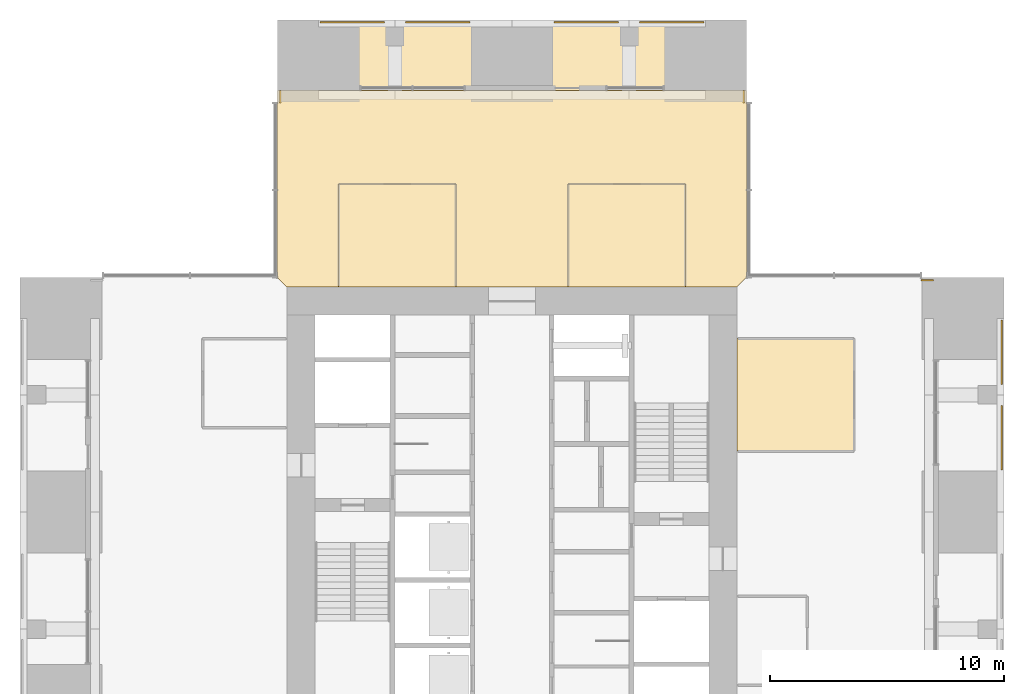
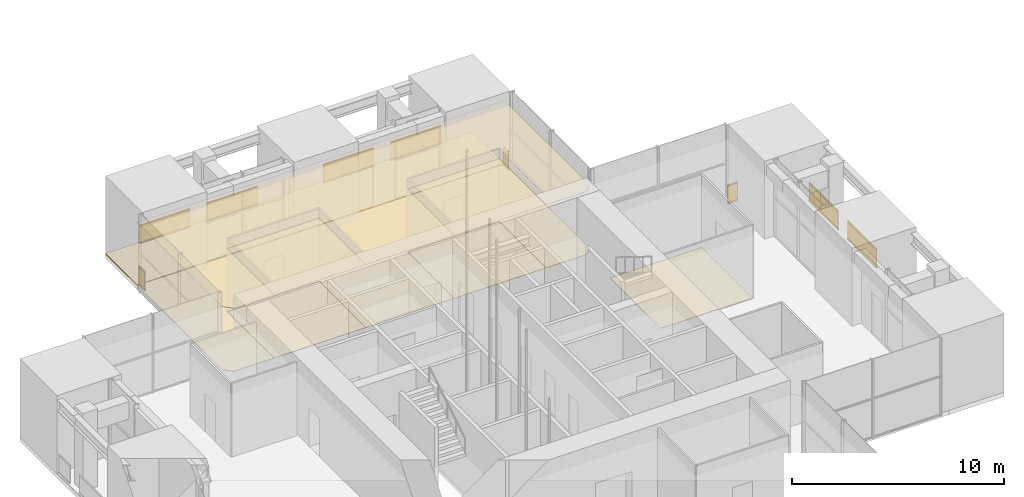
# One storey, part 16 of 17: 9 railings, 8 coverings.
"""IFC4 building model written with IfcOpenShell, lengths in metres."""

from ifc_helpers import new_model, si_unit, direction, frame, origin, origin_2d, place, context, subcontext, project, spatial, polyline, rectangle, outline, extrude, material, layer, layer_set, type_object, element, save


model = new_model("IFC4")

# Units and contexts
model_context = context("Model", 3, precision=1e-05, world=origin(), true_north=direction((0.0, 1.0)))
body_context = subcontext(model_context, "Body", "Model", "MODEL_VIEW")
ifc_project = project(units=[si_unit("LENGTHUNIT", "METRE"), si_unit("AREAUNIT", "SQUARE_METRE"), si_unit("VOLUMEUNIT", "CUBIC_METRE"), si_unit("PLANEANGLEUNIT", "RADIAN"), si_unit("MASSUNIT", "GRAM", prefix="KILO")], contexts=[model_context])

# Site, building, storey
site_placement = place(None, origin())
site = spatial("IfcSite", under=ifc_project, at=site_placement, CompositionType="ELEMENT")
building_placement = place(site_placement, origin())
building = spatial("IfcBuilding", under=site, at=building_placement, Name="Svetlomir Tower", CompositionType="ELEMENT")
storey_placement = place(building_placement, frame((0.0, 0.0, 239.5)))
storey = spatial("IfcBuildingStorey", under=building, at=storey_placement, Name="L57", CompositionType="ELEMENT", Elevation=239.5)

# Railings
ifc_material_1 = material(Name="Bronze anodised aluminium and laminated glass", Category="aluminium")
railing_type = type_object("IfcRailingType", Name="BALCONY GUARD GR1 1100", PredefinedType="GUARDRAIL", material=ifc_material_1)
for number, where, name in (
    (1, (41.89990234375, 22.800048828125, 0.0), "Loggia guard E L57 bay 3"),
    (2, (41.89990234375, 26.449951171875, 0.0), "Loggia guard E L57 bay 4"),
):
    element("IfcRailing", number, at=place(storey_placement, frame(where)), inside=storey, type_object=railing_type, Name=name, PredefinedType="GUARDRAIL", context=body_context, shape_type="SweptSolid", body=[
        extrude(rectangle(XDim=0.06005859375, YDim=0.10009765625, at=origin_2d()), frame((0.0, 0.0, 0.050048828125), z_axis=(0.0, 1.0, 0.0), x_axis=(-1.0, 0.0, 0.0)), (0.0, 0.0, 1.0), 2.75),
        extrude(rectangle(XDim=0.021484375, YDim=0.960205078125, at=origin_2d()), frame((0.0, 0.0, 0.580078125), z_axis=(0.0, 1.0, 0.0), x_axis=(-1.0, 0.0, 0.0)), (0.0, 0.0, 1.0), 2.75),
        extrude(rectangle(XDim=0.06005859375, YDim=0.0400390625, at=origin_2d()), frame((0.0, 0.0, 1.080078125), z_axis=(0.0, 1.0, 0.0), x_axis=(-1.0, 0.0, 0.0)), (0.0, 0.0, 1.0), 2.75),
    ])
railing_placement = place(storey_placement, frame((38.449951171875, 30.89990234375, 0.0)))
element("IfcRailing", 3, at=railing_placement, inside=storey, type_object=railing_type, Name="Loggia guard E L57 end 2", PredefinedType="GUARDRAIL", context=body_context, shape_type="SweptSolid", body=[
    extrude(rectangle(XDim=0.06005859375, YDim=0.10009765625, at=origin_2d()), frame((0.0, 0.0, 0.050048828125), z_axis=(1.0, 0.0, 0.0), x_axis=(0.0, 1.0, 0.0)), (0.0, 0.0, 1.0), 0.550048828125),
    extrude(rectangle(XDim=0.021484375, YDim=0.960205078125, at=origin_2d()), frame((0.0, 0.0, 0.580078125), z_axis=(1.0, 0.0, 0.0), x_axis=(0.0, 1.0, 0.0)), (0.0, 0.0, 1.0), 0.550048828125),
    extrude(rectangle(XDim=0.06005859375, YDim=0.0400390625, at=origin_2d()), frame((0.0, 0.0, 1.080078125), z_axis=(1.0, 0.0, 0.0), x_axis=(0.0, 1.0, 0.0)), (0.0, 0.0, 1.0), 0.550048828125),
])
for number, where, name in (
    (4, (12.800048828125, 41.89990234375, 0.0), "Loggia guard N L57 bay 1"),
    (5, (16.449951171875, 41.89990234375, 0.0), "Loggia guard N L57 bay 2"),
    (6, (22.800048828125, 41.89990234375, 0.0), "Loggia guard N L57 bay 3"),
    (7, (26.449951171875, 41.89990234375, 0.0), "Loggia guard N L57 bay 4"),
):
    element("IfcRailing", number, at=place(storey_placement, frame(where)), inside=storey, type_object=railing_type, Name=name, PredefinedType="GUARDRAIL", context=body_context, shape_type="SweptSolid", body=[
        extrude(rectangle(XDim=0.06005859375, YDim=0.10009765625, at=origin_2d()), frame((0.0, 0.0, 0.050048828125), z_axis=(1.0, 0.0, 0.0), x_axis=(0.0, 1.0, 0.0)), (0.0, 0.0, 1.0), 2.75),
        extrude(rectangle(XDim=0.021484375, YDim=0.960205078125, at=origin_2d()), frame((0.0, 0.0, 0.580078125), z_axis=(1.0, 0.0, 0.0), x_axis=(0.0, 1.0, 0.0)), (0.0, 0.0, 1.0), 2.75),
        extrude(rectangle(XDim=0.06005859375, YDim=0.0400390625, at=origin_2d()), frame((0.0, 0.0, 1.080078125), z_axis=(1.0, 0.0, 0.0), x_axis=(0.0, 1.0, 0.0)), (0.0, 0.0, 1.0), 2.75),
    ])
for number, where, name in (
    (8, (11.10009765625, 38.449951171875, 0.0), "Loggia guard N L57 end 1"),
    (9, (30.89990234375, 38.449951171875, 0.0), "Loggia guard N L57 end 2"),
):
    element("IfcRailing", number, at=place(storey_placement, frame(where)), inside=storey, type_object=railing_type, Name=name, PredefinedType="GUARDRAIL", context=body_context, shape_type="SweptSolid", body=[
        extrude(rectangle(XDim=0.06005859375, YDim=0.10009765625, at=origin_2d()), frame((0.0, 0.0, 0.050048828125), z_axis=(0.0, 1.0, 0.0), x_axis=(-1.0, 0.0, 0.0)), (0.0, 0.0, 1.0), 0.550048828125),
        extrude(rectangle(XDim=0.021484375, YDim=0.960205078125, at=origin_2d()), frame((0.0, 0.0, 0.580078125), z_axis=(0.0, 1.0, 0.0), x_axis=(-1.0, 0.0, 0.0)), (0.0, 0.0, 1.0), 0.550048828125),
        extrude(rectangle(XDim=0.06005859375, YDim=0.0400390625, at=origin_2d()), frame((0.0, 0.0, 1.080078125), z_axis=(0.0, 1.0, 0.0), x_axis=(-1.0, 0.0, 0.0)), (0.0, 0.0, 1.0), 0.550048828125),
    ])

# Coverings
ifc_material_2 = material(Name="Granite paving slabs on pedestals", Category="masonry")
ifc_layer_1 = layer(ifc_material_2, 0.0400390625)
ifc_layer_set_1 = layer_set([ifc_layer_1], Name="Granite paving slabs on pedestals")
covering_type_1 = type_object("IfcCoveringType", Name="BALCONY PAVING 40", PredefinedType="USERDEFINED", material=ifc_layer_set_1)
covering_1_placement = place(storey_placement, origin())
element("IfcCovering", 10, at=covering_1_placement, inside=storey, type_object=covering_type_1, Name="Loggia paving N L57", ObjectType="BALCONY PAVING", PredefinedType="USERDEFINED", context=body_context, shape_type="SweptSolid", body=[
    extrude(outline(polyline([(11.0, 39.0), (31.0, 39.0), (31.0, 42.0), (11.0, 42.0), (11.0, 39.0)])), origin(), (0.0, 0.0, 1.0), 0.0400390625),
])
ifc_material_3 = material(Name="Engineered oak floor", Category="wood")
ifc_layer_2 = layer(ifc_material_3, 0.02001953125)
ifc_layer_set_2 = layer_set([ifc_layer_2], Name="Engineered oak floor")
covering_type_2 = type_object("IfcCoveringType", Name="OAK FLOOR 20", PredefinedType="FLOORING", material=ifc_layer_set_2)
covering_2_placement = place(storey_placement, origin())
element("IfcCovering", 11, at=covering_2_placement, inside=storey, type_object=covering_type_2, Name="Floor finish L57-21", PredefinedType="FLOORING", context=body_context, shape_type="SweptSolid", body=[
    extrude(outline(polyline([(30.60009765625, 23.60009765625), (35.60009765625, 23.60009765625), (35.60009765625, 28.39990234375), (30.60009765625, 28.39990234375), (30.60009765625, 23.60009765625)])), origin(), (0.0, 0.0, 1.0), 0.02001953125),
])
covering_3_placement = place(storey_placement, origin())
element("IfcCovering", 12, at=covering_3_placement, inside=storey, type_object=covering_type_2, Name="Floor finish L57-22", PredefinedType="FLOORING", context=body_context, shape_type="SweptSolid", body=[
    extrude(outline(polyline([(13.60009765625, 30.60009765625), (18.60009765625, 30.60009765625), (18.60009765625, 35.0), (13.60009765625, 35.0), (13.60009765625, 30.60009765625)])), origin(), (0.0, 0.0, 1.0), 0.02001953125),
])
covering_4_placement = place(storey_placement, origin())
element("IfcCovering", 13, at=covering_4_placement, inside=storey, type_object=covering_type_2, Name="Floor finish L57-23", PredefinedType="FLOORING", context=body_context, shape_type="SweptSolid", body=[
    extrude(outline(polyline([(23.39990234375, 30.60009765625), (28.39990234375, 30.60009765625), (28.39990234375, 35.0), (23.39990234375, 35.0), (23.39990234375, 30.60009765625)])), origin(), (0.0, 0.0, 1.0), 0.02001953125),
])
covering_5_placement = place(storey_placement, origin())
element("IfcCovering", 14, at=covering_5_placement, inside=storey, type_object=covering_type_2, Name="Floor finish L57-28", PredefinedType="FLOORING", context=body_context, shape_type="SweptSolid", body=[
    extrude(outline(polyline([(11.0, 39.0), (31.0, 39.0), (31.0, 31.0), (30.60009765625, 30.60009765625), (28.39990234375, 30.60009765625), (28.39990234375, 35.0), (23.39990234375, 35.0), (23.39990234375, 30.60009765625), (18.60009765625, 30.60009765625), (18.60009765625, 35.0), (13.60009765625, 35.0), (13.60009765625, 30.60009765625), (11.39990234375, 30.60009765625), (11.0, 31.0), (11.0, 39.0)])), origin(), (0.0, 0.0, 1.0), 0.02001953125),
])
ifc_material_4 = material(Name="Mineral fibre ceiling tile", Category="mineral")
ifc_layer_3 = layer(ifc_material_4, 0.02001953125)
ifc_layer_set_3 = layer_set([ifc_layer_3], Name="Mineral fibre ceiling tile")
covering_type_3 = type_object("IfcCoveringType", Name="SUSPENDED CEILING 20", PredefinedType="CEILING", material=ifc_layer_set_3)
covering_6_placement = place(storey_placement, frame((0.0, 0.0, 3.6298828125)))
element("IfcCovering", 15, at=covering_6_placement, inside=storey, type_object=covering_type_3, Name="Ceiling L57-22", PredefinedType="CEILING", context=body_context, shape_type="SweptSolid", body=[
    extrude(outline(polyline([(13.60009765625, 30.60009765625), (18.60009765625, 30.60009765625), (18.60009765625, 35.0), (13.60009765625, 35.0), (13.60009765625, 30.60009765625)])), origin(), (0.0, 0.0, 1.0), 0.02001953125),
])
covering_7_placement = place(storey_placement, frame((0.0, 0.0, 3.6298828125)))
element("IfcCovering", 16, at=covering_7_placement, inside=storey, type_object=covering_type_3, Name="Ceiling L57-23", PredefinedType="CEILING", context=body_context, shape_type="SweptSolid", body=[
    extrude(outline(polyline([(23.39990234375, 30.60009765625), (28.39990234375, 30.60009765625), (28.39990234375, 35.0), (23.39990234375, 35.0), (23.39990234375, 30.60009765625)])), origin(), (0.0, 0.0, 1.0), 0.02001953125),
])
covering_8_placement = place(storey_placement, frame((0.0, 0.0, 3.6298828125)))
element("IfcCovering", 17, at=covering_8_placement, inside=storey, type_object=covering_type_3, Name="Ceiling L57-28", PredefinedType="CEILING", context=body_context, shape_type="SweptSolid", body=[
    extrude(outline(polyline([(11.0, 39.0), (31.0, 39.0), (31.0, 31.0), (30.60009765625, 30.60009765625), (28.39990234375, 30.60009765625), (28.39990234375, 35.0), (23.39990234375, 35.0), (23.39990234375, 30.60009765625), (18.60009765625, 30.60009765625), (18.60009765625, 35.0), (13.60009765625, 35.0), (13.60009765625, 30.60009765625), (11.39990234375, 30.60009765625), (11.0, 31.0), (11.0, 39.0)])), origin(), (0.0, 0.0, 1.0), 0.02001953125),
])

save(model, "model.ifc")
